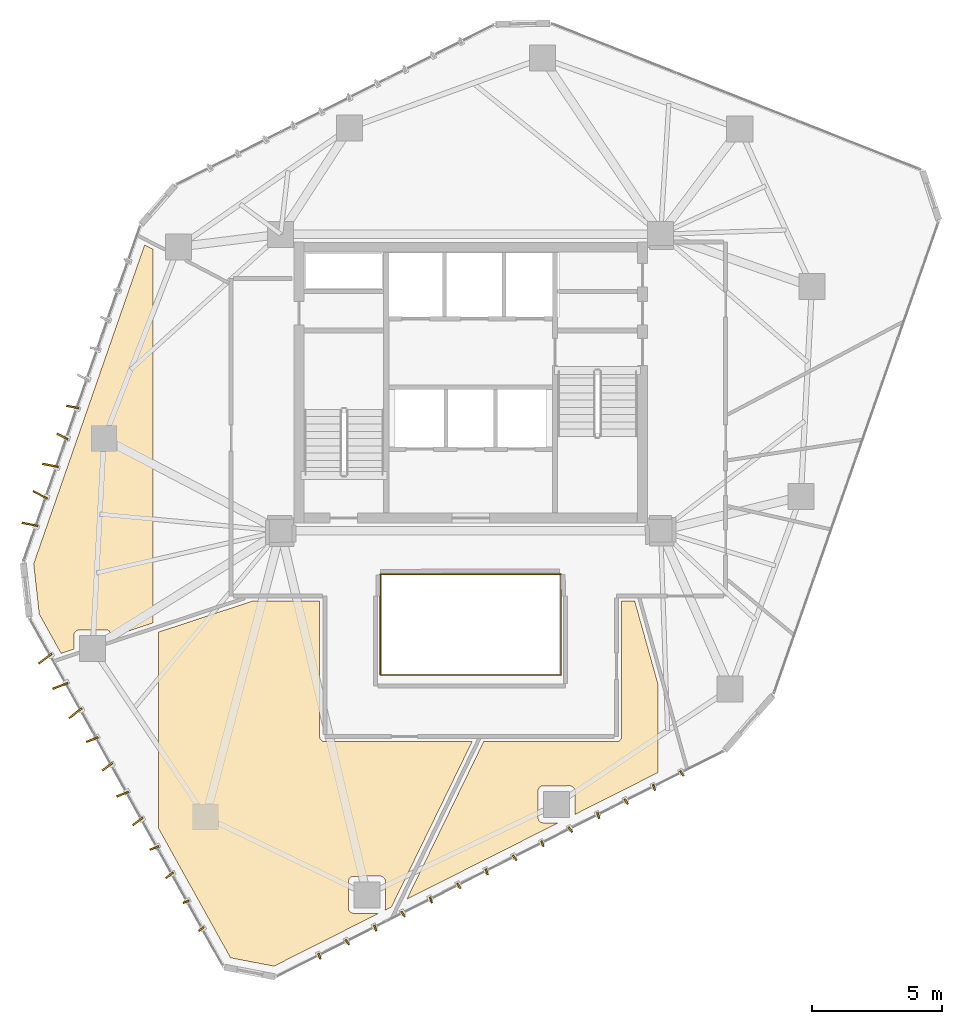
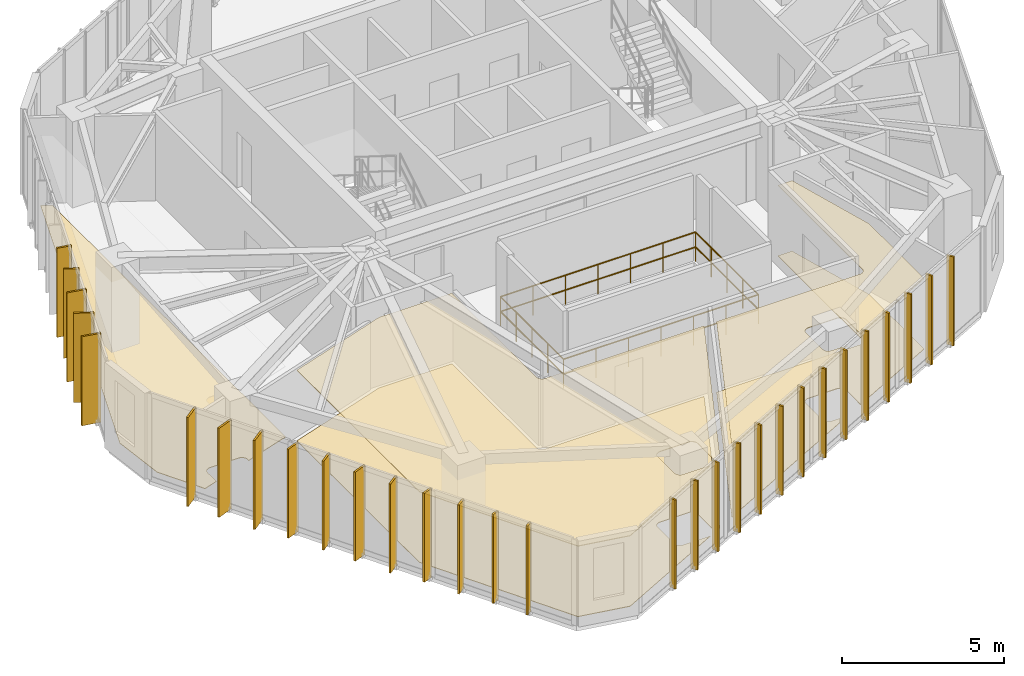
# One storey, part 19 of 20: 30 shading devices, 5 coverings, 4 railings.
"""IFC4 building model written with IfcOpenShell, lengths in metres."""

from ifc_helpers import new_model, si_unit, direction, frame, origin, origin_2d, place, context, subcontext, project, spatial, polyline, rectangle, circle, outline, extrude, source, transform, mapped, material, layer, layer_set, type_object, type_shapes, element, save


model = new_model("IFC4")

# Units and contexts
model_context = context("Model", 3, precision=1e-05, world=origin(), true_north=direction((0.0, 1.0)))
body_context = subcontext(model_context, "Body", "Model", "MODEL_VIEW")
ifc_project = project(units=[si_unit("LENGTHUNIT", "METRE"), si_unit("AREAUNIT", "SQUARE_METRE"), si_unit("VOLUMEUNIT", "CUBIC_METRE"), si_unit("PLANEANGLEUNIT", "RADIAN"), si_unit("MASSUNIT", "GRAM", prefix="KILO")], contexts=[model_context])

# Site, building, storey
site_placement = place(None, origin())
site = spatial("IfcSite", under=ifc_project, at=site_placement, CompositionType="ELEMENT")
building_placement = place(site_placement, origin())
building = spatial("IfcBuilding", under=site, at=building_placement, Name="Talar Marvaseh", CompositionType="ELEMENT")
storey_placement = place(building_placement, frame((0.0, 0.0, 170.5)))
storey = spatial("IfcBuildingStorey", under=building, at=storey_placement, Name="L44", CompositionType="ELEMENT", Elevation=170.5)

# Railings
ifc_material_1 = material(Name="Tempered Clear Glass", Category="glass")
railing_type = type_object("IfcRailingType", Name="Interior Atrium Edge Balustrade 1120", PredefinedType="BALUSTRADE", material=ifc_material_1)
railing_1_placement = place(storey_placement, frame((22.5302734375, 19.9609375, 0.0)))
element("IfcRailing", 1, at=railing_1_placement, inside=storey, type_object=railing_type, Name="L44 Internal Daylight Atrium Balustrade 1", PredefinedType="BALUSTRADE", context=body_context, shape_type="SweptSolid", body=[
    extrude(circle(Radius=0.02392578125, at=origin_2d()), frame((0.0, 0.0, 1.09619140625), z_axis=(1.0, 0.0, 0.0), x_axis=(0.0, 1.0, 0.0)), (0.0, 0.0, 1.0), 6.939453125),
    extrude(circle(Radius=0.02392578125, at=origin_2d()), frame((0.0, 0.0, 0.5361328125), z_axis=(1.0, 0.0, 0.0), x_axis=(0.0, 1.0, 0.0)), (0.0, 0.0, 1.0), 6.939453125),
    extrude(circle(Radius=0.02099609375, at=origin_2d()), origin(), (0.0, 0.0, 1.0), 1.072021484375),
    extrude(circle(Radius=0.02099609375, at=origin_2d()), frame((1.156494140625, 0.0, 0.0)), (0.0, 0.0, 1.0), 1.072021484375),
    extrude(circle(Radius=0.02099609375, at=origin_2d()), frame((2.313232421875, 0.0, 0.0)), (0.0, 0.0, 1.0), 1.072021484375),
    extrude(circle(Radius=0.02099609375, at=origin_2d()), frame((3.4697265625, 0.0, 0.0)), (0.0, 0.0, 1.0), 1.072021484375),
    extrude(circle(Radius=0.02099609375, at=origin_2d()), frame((4.626220703125, 0.0, 0.0)), (0.0, 0.0, 1.0), 1.072021484375),
    extrude(circle(Radius=0.02099609375, at=origin_2d()), frame((5.782958984375, 0.0, 0.0)), (0.0, 0.0, 1.0), 1.072021484375),
    extrude(circle(Radius=0.02099609375, at=origin_2d()), frame((6.939453125, 0.0, 0.0)), (0.0, 0.0, 1.0), 1.072021484375),
])
railing_2_placement = place(storey_placement, frame((29.4697265625, 19.9609375, 0.0)))
element("IfcRailing", 2, at=railing_2_placement, inside=storey, type_object=railing_type, Name="L44 Internal Daylight Atrium Balustrade 2", PredefinedType="BALUSTRADE", context=body_context, shape_type="SweptSolid", body=[
    extrude(circle(Radius=0.02392578125, at=origin_2d()), frame((0.0, 0.0, 1.09619140625), z_axis=(0.0, 1.0, 0.0), x_axis=(-1.0, 0.0, 0.0)), (0.0, 0.0, 1.0), 3.878173828125),
    extrude(circle(Radius=0.02392578125, at=origin_2d()), frame((0.0, 0.0, 0.5361328125), z_axis=(0.0, 1.0, 0.0), x_axis=(-1.0, 0.0, 0.0)), (0.0, 0.0, 1.0), 3.878173828125),
    extrude(circle(Radius=0.02099609375, at=origin_2d()), origin(), (0.0, 0.0, 1.0), 1.072021484375),
    extrude(circle(Radius=0.02099609375, at=origin_2d()), frame((0.0, 0.969482421875, 0.0)), (0.0, 0.0, 1.0), 1.072021484375),
    extrude(circle(Radius=0.02099609375, at=origin_2d()), frame((0.0, 1.93896484375, 0.0)), (0.0, 0.0, 1.0), 1.072021484375),
    extrude(circle(Radius=0.02099609375, at=origin_2d()), frame((0.0, 2.90869140625, 0.0)), (0.0, 0.0, 1.0), 1.072021484375),
    extrude(circle(Radius=0.02099609375, at=origin_2d()), frame((0.0, 3.878173828125, 0.0)), (0.0, 0.0, 1.0), 1.072021484375),
])
railing_3_placement = place(storey_placement, frame((29.4697265625, 23.839111328125, 0.0)))
element("IfcRailing", 3, at=railing_3_placement, inside=storey, type_object=railing_type, Name="L44 Internal Daylight Atrium Balustrade 3", PredefinedType="BALUSTRADE", context=body_context, shape_type="SweptSolid", body=[
    extrude(circle(Radius=0.02392578125, at=origin_2d()), frame((0.0, 0.0, 1.09619140625), z_axis=(-1.0, 0.0, 0.0), x_axis=(0.0, -1.0, 0.0)), (0.0, 0.0, 1.0), 6.939453125),
    extrude(circle(Radius=0.02392578125, at=origin_2d()), frame((0.0, 0.0, 0.5361328125), z_axis=(-1.0, 0.0, 0.0), x_axis=(0.0, -1.0, 0.0)), (0.0, 0.0, 1.0), 6.939453125),
    extrude(circle(Radius=0.02099609375, at=origin_2d()), origin(), (0.0, 0.0, 1.0), 1.072021484375),
    extrude(circle(Radius=0.02099609375, at=origin_2d()), frame((-1.156494140625, 0.0, 0.0)), (0.0, 0.0, 1.0), 1.072021484375),
    extrude(circle(Radius=0.02099609375, at=origin_2d()), frame((-2.313232421875, 0.0, 0.0)), (0.0, 0.0, 1.0), 1.072021484375),
    extrude(circle(Radius=0.02099609375, at=origin_2d()), frame((-3.4697265625, 0.0, 0.0)), (0.0, 0.0, 1.0), 1.072021484375),
    extrude(circle(Radius=0.02099609375, at=origin_2d()), frame((-4.626220703125, 0.0, 0.0)), (0.0, 0.0, 1.0), 1.072021484375),
    extrude(circle(Radius=0.02099609375, at=origin_2d()), frame((-5.782958984375, 0.0, 0.0)), (0.0, 0.0, 1.0), 1.072021484375),
    extrude(circle(Radius=0.02099609375, at=origin_2d()), frame((-6.939453125, 0.0, 0.0)), (0.0, 0.0, 1.0), 1.072021484375),
])
railing_4_placement = place(storey_placement, frame((22.5302734375, 23.839111328125, 0.0)))
element("IfcRailing", 4, at=railing_4_placement, inside=storey, type_object=railing_type, Name="L44 Internal Daylight Atrium Balustrade 4", PredefinedType="BALUSTRADE", context=body_context, shape_type="SweptSolid", body=[
    extrude(circle(Radius=0.02392578125, at=origin_2d()), frame((0.0, 0.0, 1.09619140625), z_axis=(0.0, -1.0, 0.0), x_axis=(1.0, 0.0, 0.0)), (0.0, 0.0, 1.0), 3.878173828125),
    extrude(circle(Radius=0.02392578125, at=origin_2d()), frame((0.0, 0.0, 0.5361328125), z_axis=(0.0, -1.0, 0.0), x_axis=(1.0, 0.0, 0.0)), (0.0, 0.0, 1.0), 3.878173828125),
    extrude(circle(Radius=0.02099609375, at=origin_2d()), origin(), (0.0, 0.0, 1.0), 1.072021484375),
    extrude(circle(Radius=0.02099609375, at=origin_2d()), frame((0.0, -0.969482421875, 0.0)), (0.0, 0.0, 1.0), 1.072021484375),
    extrude(circle(Radius=0.02099609375, at=origin_2d()), frame((0.0, -1.93896484375, 0.0)), (0.0, 0.0, 1.0), 1.072021484375),
    extrude(circle(Radius=0.02099609375, at=origin_2d()), frame((0.0, -2.90869140625, 0.0)), (0.0, 0.0, 1.0), 1.072021484375),
    extrude(circle(Radius=0.02099609375, at=origin_2d()), frame((0.0, -3.878173828125, 0.0)), (0.0, 0.0, 1.0), 1.072021484375),
])

# Coverings
ifc_material_2 = material(Name="Mineral Fibre Acoustic Ceiling")
ifc_layer_1 = layer(ifc_material_2, 0.02490234375)
ifc_layer_set_1 = layer_set([ifc_layer_1], Name="Mineral Fibre Acoustic Ceiling")
covering_type_1 = type_object("IfcCoveringType", Name="Perforated Mineral Fibre Acoustic Suspended Ceiling", PredefinedType="CEILING", material=ifc_layer_set_1)
covering_1_placement = place(storey_placement, frame((0.0, 0.0, 2.64990234375)))
element("IfcCovering", 5, at=covering_1_placement, inside=storey, type_object=covering_type_1, Name="L44 Seminar Room Acoustic Ceiling", PredefinedType="CEILING", context=body_context, shape_type="SweptSolid", body=[
    extrude(outline(polyline([(14.0, 21.610107421875), (17.603759765625, 22.800048828125), (20.199951171875, 22.800048828125), (20.199951171875, 17.60009765625), (20.200927734375, 17.580322265625), (20.203857421875, 17.56103515625), (20.20849609375, 17.5419921875), (20.215087890625, 17.5234375), (20.2236328125, 17.505615234375), (20.233642578125, 17.489013671875), (20.245361328125, 17.47314453125), (20.258544921875, 17.45849609375), (20.273193359375, 17.4453125), (20.288818359375, 17.43359375), (20.3056640625, 17.423583984375), (20.323486328125, 17.415283203125), (20.341796875, 17.40869140625), (20.361083984375, 17.40380859375), (20.38037109375, 17.40087890625), (20.39990234375, 17.39990234375), (26.0537109375, 17.39990234375), (22.958984375, 11.05224609375), (22.707275390625, 10.92529296875), (22.710205078125, 10.931396484375), (22.716796875, 10.94970703125), (22.7216796875, 10.96875), (22.724609375, 10.988037109375), (22.7255859375, 11.007568359375), (22.72998046875, 12.019775390625), (22.72900390625, 12.038330078125), (22.7265625, 12.056640625), (22.722412109375, 12.074951171875), (22.716552734375, 12.092529296875), (22.708984375, 12.109619140625), (22.699951171875, 12.1259765625), (22.689208984375, 12.141357421875), (22.677490234375, 12.155517578125), (22.664306640625, 12.168701171875), (22.6494140625, 12.18212890625), (22.635009765625, 12.194091796875), (22.61962890625, 12.204345703125), (22.603515625, 12.21337890625), (22.586669921875, 12.220703125), (22.569091796875, 12.2265625), (22.551025390625, 12.230712890625), (22.53271484375, 12.233154296875), (22.51416015625, 12.23388671875), (21.50341796875, 12.2294921875), (21.48388671875, 12.228515625), (21.464599609375, 12.2255859375), (21.44580078125, 12.220703125), (21.42724609375, 12.214111328125), (21.40966796875, 12.205810546875), (21.392822265625, 12.195556640625), (21.377197265625, 12.183837890625), (21.36279296875, 12.170654296875), (21.349609375, 12.15625), (21.337890625, 12.140380859375), (21.327880859375, 12.12353515625), (21.319580078125, 12.10595703125), (21.31298828125, 12.08740234375), (21.30810546875, 12.068603515625), (21.305419921875, 12.049072265625), (21.304443359375, 12.029541015625), (21.304443359375, 11.00830078125), (21.305419921875, 10.98876953125), (21.30810546875, 10.969482421875), (21.31298828125, 10.9501953125), (21.319580078125, 10.931884765625), (21.327880859375, 10.9140625), (21.338134765625, 10.897216796875), (21.349853515625, 10.881591796875), (21.363037109375, 10.866943359375), (21.37744140625, 10.853759765625), (21.393310546875, 10.842041015625), (21.41015625, 10.83203125), (21.427978515625, 10.823486328125), (21.4462890625, 10.81689453125), (21.46533203125, 10.812255859375), (21.48486328125, 10.809326171875), (21.50439453125, 10.808349609375), (22.475341796875, 10.808349609375), (18.44580078125, 8.776611328125), (16.77294921875, 9.096435546875), (14.0, 14.0791015625), (14.0, 21.610107421875)])), origin(), (0.0, 0.0, 1.0), 0.025146484375),
])
covering_2_placement = place(storey_placement, frame((0.0, 0.0, 2.64990234375)))
element("IfcCovering", 6, at=covering_2_placement, inside=storey, type_object=covering_type_1, Name="L44 Museum Publication Bookshop Acoustic Ceiling", PredefinedType="CEILING", context=body_context, shape_type="SweptSolid", body=[
    extrude(outline(polyline([(31.61962890625, 17.40087890625), (31.638916015625, 17.40380859375), (31.658203125, 17.40869140625), (31.676513671875, 17.415283203125), (31.6943359375, 17.423583984375), (31.711181640625, 17.43359375), (31.726806640625, 17.4453125), (31.741455078125, 17.45849609375), (31.754638671875, 17.47314453125), (31.766357421875, 17.489013671875), (31.7763671875, 17.505615234375), (31.784912109375, 17.5234375), (31.79150390625, 17.5419921875), (31.796142578125, 17.56103515625), (31.799072265625, 17.580322265625), (31.800048828125, 17.60009765625), (31.800048828125, 22.800048828125), (32.30615234375, 22.800048828125), (33.199951171875, 19.60205078125), (33.199951171875, 16.216064453125), (30.010009765625, 14.607666015625), (30.013916015625, 15.49462890625), (30.01318359375, 15.51318359375), (30.010498046875, 15.53173828125), (30.00634765625, 15.5498046875), (30.00048828125, 15.567626953125), (29.992919921875, 15.584716796875), (29.98388671875, 15.600830078125), (29.973388671875, 15.6162109375), (29.96142578125, 15.630615234375), (29.9482421875, 15.643798828125), (29.933349609375, 15.6572265625), (29.9189453125, 15.6689453125), (29.90380859375, 15.679443359375), (29.887451171875, 15.688232421875), (29.87060546875, 15.69580078125), (29.85302734375, 15.70166015625), (29.8349609375, 15.705810546875), (29.816650390625, 15.708251953125), (29.798095703125, 15.708984375), (28.78759765625, 15.70458984375), (28.76806640625, 15.70361328125), (28.74853515625, 15.70068359375), (28.729736328125, 15.69580078125), (28.711181640625, 15.689208984375), (28.693603515625, 15.6806640625), (28.6767578125, 15.670654296875), (28.6611328125, 15.658935546875), (28.646728515625, 15.645751953125), (28.633544921875, 15.631103515625), (28.621826171875, 15.615478515625), (28.61181640625, 15.5986328125), (28.603515625, 15.580810546875), (28.596923828125, 15.5625), (28.59228515625, 15.54345703125), (28.58935546875, 15.524169921875), (28.58837890625, 15.504638671875), (28.58837890625, 14.4833984375), (28.58935546875, 14.4638671875), (28.59228515625, 14.4443359375), (28.596923828125, 14.42529296875), (28.603515625, 14.406982421875), (28.612060546875, 14.38916015625), (28.6220703125, 14.372314453125), (28.6337890625, 14.3564453125), (28.64697265625, 14.342041015625), (28.66162109375, 14.328857421875), (28.67724609375, 14.317138671875), (28.694091796875, 14.306884765625), (28.7119140625, 14.298583984375), (28.730224609375, 14.2919921875), (28.74951171875, 14.287109375), (28.768798828125, 14.284423828125), (28.788330078125, 14.283447265625), (29.3671875, 14.283447265625), (23.549072265625, 11.349853515625), (26.49853515625, 17.39990234375), (31.60009765625, 17.39990234375), (31.61962890625, 17.40087890625)])), origin(), (0.0, 0.0, 1.0), 0.025146484375),
])
ifc_material_3 = material(Name="Porcelain Stoneware Tile", Category="masonry")
ifc_layer_2 = layer(ifc_material_3, 0.02001953125)
ifc_layer_set_2 = layer_set([ifc_layer_2], Name="Porcelain Stoneware Tile")
covering_type_2 = type_object("IfcCoveringType", Name="Polished Porcelain Stoneware Gallery Flooring", PredefinedType="FLOORING", material=ifc_layer_set_2)
covering_3_placement = place(storey_placement, origin())
element("IfcCovering", 7, at=covering_3_placement, inside=storey, type_object=covering_type_2, Name="L44 Seminar Room Flooring", PredefinedType="FLOORING", context=body_context, shape_type="SweptSolid", body=[
    extrude(outline(polyline([(14.0, 21.610107421875), (17.603759765625, 22.800048828125), (20.199951171875, 22.800048828125), (20.199951171875, 17.60009765625), (20.200927734375, 17.580322265625), (20.203857421875, 17.56103515625), (20.20849609375, 17.5419921875), (20.215087890625, 17.5234375), (20.2236328125, 17.505615234375), (20.233642578125, 17.489013671875), (20.245361328125, 17.47314453125), (20.258544921875, 17.45849609375), (20.273193359375, 17.4453125), (20.288818359375, 17.43359375), (20.3056640625, 17.423583984375), (20.323486328125, 17.415283203125), (20.341796875, 17.40869140625), (20.361083984375, 17.40380859375), (20.38037109375, 17.40087890625), (20.39990234375, 17.39990234375), (26.0537109375, 17.39990234375), (22.958984375, 11.05224609375), (22.707275390625, 10.92529296875), (22.710205078125, 10.931396484375), (22.716796875, 10.94970703125), (22.7216796875, 10.96875), (22.724609375, 10.988037109375), (22.7255859375, 11.007568359375), (22.72998046875, 12.019775390625), (22.72900390625, 12.038330078125), (22.7265625, 12.056640625), (22.722412109375, 12.074951171875), (22.716552734375, 12.092529296875), (22.708984375, 12.109619140625), (22.699951171875, 12.1259765625), (22.689208984375, 12.141357421875), (22.677490234375, 12.155517578125), (22.664306640625, 12.168701171875), (22.6494140625, 12.18212890625), (22.635009765625, 12.194091796875), (22.61962890625, 12.204345703125), (22.603515625, 12.21337890625), (22.586669921875, 12.220703125), (22.569091796875, 12.2265625), (22.551025390625, 12.230712890625), (22.53271484375, 12.233154296875), (22.51416015625, 12.23388671875), (21.50341796875, 12.2294921875), (21.48388671875, 12.228515625), (21.464599609375, 12.2255859375), (21.44580078125, 12.220703125), (21.42724609375, 12.214111328125), (21.40966796875, 12.205810546875), (21.392822265625, 12.195556640625), (21.377197265625, 12.183837890625), (21.36279296875, 12.170654296875), (21.349609375, 12.15625), (21.337890625, 12.140380859375), (21.327880859375, 12.12353515625), (21.319580078125, 12.10595703125), (21.31298828125, 12.08740234375), (21.30810546875, 12.068603515625), (21.305419921875, 12.049072265625), (21.304443359375, 12.029541015625), (21.304443359375, 11.00830078125), (21.305419921875, 10.98876953125), (21.30810546875, 10.969482421875), (21.31298828125, 10.9501953125), (21.319580078125, 10.931884765625), (21.327880859375, 10.9140625), (21.338134765625, 10.897216796875), (21.349853515625, 10.881591796875), (21.363037109375, 10.866943359375), (21.37744140625, 10.853759765625), (21.393310546875, 10.842041015625), (21.41015625, 10.83203125), (21.427978515625, 10.823486328125), (21.4462890625, 10.81689453125), (21.46533203125, 10.812255859375), (21.48486328125, 10.809326171875), (21.50439453125, 10.808349609375), (22.475341796875, 10.808349609375), (18.44580078125, 8.776611328125), (16.77294921875, 9.096435546875), (14.0, 14.0791015625), (14.0, 21.610107421875)])), origin(), (0.0, 0.0, 1.0), 0.02001953125),
])
covering_4_placement = place(storey_placement, origin())
element("IfcCovering", 8, at=covering_4_placement, inside=storey, type_object=covering_type_2, Name="L44 Museum Publication Bookshop Flooring", PredefinedType="FLOORING", context=body_context, shape_type="SweptSolid", body=[
    extrude(outline(polyline([(31.61962890625, 17.40087890625), (31.638916015625, 17.40380859375), (31.658203125, 17.40869140625), (31.676513671875, 17.415283203125), (31.6943359375, 17.423583984375), (31.711181640625, 17.43359375), (31.726806640625, 17.4453125), (31.741455078125, 17.45849609375), (31.754638671875, 17.47314453125), (31.766357421875, 17.489013671875), (31.7763671875, 17.505615234375), (31.784912109375, 17.5234375), (31.79150390625, 17.5419921875), (31.796142578125, 17.56103515625), (31.799072265625, 17.580322265625), (31.800048828125, 17.60009765625), (31.800048828125, 22.800048828125), (32.30615234375, 22.800048828125), (33.199951171875, 19.60205078125), (33.199951171875, 16.216064453125), (30.010009765625, 14.607666015625), (30.013916015625, 15.49462890625), (30.01318359375, 15.51318359375), (30.010498046875, 15.53173828125), (30.00634765625, 15.5498046875), (30.00048828125, 15.567626953125), (29.992919921875, 15.584716796875), (29.98388671875, 15.600830078125), (29.973388671875, 15.6162109375), (29.96142578125, 15.630615234375), (29.9482421875, 15.643798828125), (29.933349609375, 15.6572265625), (29.9189453125, 15.6689453125), (29.90380859375, 15.679443359375), (29.887451171875, 15.688232421875), (29.87060546875, 15.69580078125), (29.85302734375, 15.70166015625), (29.8349609375, 15.705810546875), (29.816650390625, 15.708251953125), (29.798095703125, 15.708984375), (28.78759765625, 15.70458984375), (28.76806640625, 15.70361328125), (28.74853515625, 15.70068359375), (28.729736328125, 15.69580078125), (28.711181640625, 15.689208984375), (28.693603515625, 15.6806640625), (28.6767578125, 15.670654296875), (28.6611328125, 15.658935546875), (28.646728515625, 15.645751953125), (28.633544921875, 15.631103515625), (28.621826171875, 15.615478515625), (28.61181640625, 15.5986328125), (28.603515625, 15.580810546875), (28.596923828125, 15.5625), (28.59228515625, 15.54345703125), (28.58935546875, 15.524169921875), (28.58837890625, 15.504638671875), (28.58837890625, 14.4833984375), (28.58935546875, 14.4638671875), (28.59228515625, 14.4443359375), (28.596923828125, 14.42529296875), (28.603515625, 14.406982421875), (28.612060546875, 14.38916015625), (28.6220703125, 14.372314453125), (28.6337890625, 14.3564453125), (28.64697265625, 14.342041015625), (28.66162109375, 14.328857421875), (28.67724609375, 14.317138671875), (28.694091796875, 14.306884765625), (28.7119140625, 14.298583984375), (28.730224609375, 14.2919921875), (28.74951171875, 14.287109375), (28.768798828125, 14.284423828125), (28.788330078125, 14.283447265625), (29.3671875, 14.283447265625), (23.549072265625, 11.349853515625), (26.49853515625, 17.39990234375), (31.60009765625, 17.39990234375), (31.61962890625, 17.40087890625)])), origin(), (0.0, 0.0, 1.0), 0.02001953125),
])
covering_5_placement = place(storey_placement, origin())
element("IfcCovering", 9, at=covering_5_placement, inside=storey, type_object=covering_type_2, Name="L44 Archival Facsimile Boutique Flooring", PredefinedType="FLOORING", context=body_context, shape_type="SweptSolid", body=[
    extrude(outline(polyline([(13.800048828125, 36.31884765625), (13.800048828125, 21.96533203125), (12.18701171875, 21.432861328125), (12.18701171875, 21.486083984375), (12.185791015625, 21.507080078125), (12.1826171875, 21.528076171875), (12.177001953125, 21.54833984375), (12.16943359375, 21.568115234375), (12.15966796875, 21.5869140625), (12.148193359375, 21.6044921875), (12.137451171875, 21.618896484375), (12.125732421875, 21.633544921875), (12.112548828125, 21.64697265625), (12.098388671875, 21.658935546875), (12.0830078125, 21.669677734375), (12.066650390625, 21.678955078125), (12.049560546875, 21.6865234375), (12.03173828125, 21.692626953125), (12.013671875, 21.697021484375), (11.9951171875, 21.699462890625), (11.976318359375, 21.700439453125), (10.967529296875, 21.700439453125), (10.948974609375, 21.699462890625), (10.930419921875, 21.697021484375), (10.912109375, 21.692626953125), (10.894287109375, 21.6865234375), (10.87744140625, 21.678955078125), (10.861083984375, 21.669677734375), (10.845703125, 21.658935546875), (10.831298828125, 21.64697265625), (10.818359375, 21.633544921875), (10.806396484375, 21.618896484375), (10.7958984375, 21.6044921875), (10.7841796875, 21.5869140625), (10.774658203125, 21.568115234375), (10.76708984375, 21.54833984375), (10.761474609375, 21.528076171875), (10.758056640625, 21.507080078125), (10.757080078125, 21.486083984375), (10.757080078125, 20.960693359375), (10.261474609375, 20.797119140625), (9.42431640625, 22.30126953125), (9.208740234375, 24.232421875), (13.472412109375, 36.489013671875), (13.800048828125, 36.31884765625)])), origin(), (0.0, 0.0, 1.0), 0.02001953125),
])

# Shading devices
ifc_material_4 = material(Name="Anodised Champagne Bronze Aluminium", Category="aluminium")
ifc_layer_3 = layer(ifc_material_4, 0.06494140625)
ifc_layer_set_3 = layer_set([ifc_layer_3], Name="Anodised Champagne Bronze Aluminium")
shading_device_type_1 = type_object("IfcShadingDeviceType", Name="Sawtooth Champagne Bronze Vertical Fin 240", PredefinedType="USERDEFINED", material=ifc_layer_set_3)
shared_shape_1 = source(origin(), body_context, "Body", "SweptSolid", [
    extrude(rectangle(XDim=0.239990234375, YDim=0.06494140625, at=origin_2d()), origin(), (0.0, 0.0, 1.0), 3.35009765625),
])
type_shapes(shading_device_type_1, [shared_shape_1])
for number, where, z_axis, x_axis, name in (
    (10, (15.6494140625, 10.2001953125, -0.1201171875), (0.0, 0.0, 1.0), (-0.797583928825, -0.603207987745, 0.0), "L44 Sawtooth Vertical Solar Fin"),
    (11, (15.06591796875, 11.24853515625, -0.1201171875), (0.0, 0.0, 1.0), (-0.932953534825, -0.35999680812, 0.0), "L44 Sawtooth Vertical Solar Fin"),
    (12, (34.118896484375, 16.18115234375, -0.1201171875), (0.0, 0.0, 1.0), (0.570140158358, -0.821547442226, 0.0), "L44 Sawtooth Vertical Solar Fin"),
    (13, (33.047607421875, 15.640869140625, -0.1201171875), (0.0, 0.0, 1.0), (0.321604730892, -0.946874013303, 0.0), "L44 Sawtooth Vertical Solar Fin"),
    (14, (31.97607421875, 15.1005859375, -0.1201171875), (0.0, 0.0, 1.0), (0.570140158358, -0.821547442226, 0.0), "L44 Sawtooth Vertical Solar Fin"),
    (15, (30.904541015625, 14.560302734375, -0.1201171875), (0.0, 0.0, 1.0), (0.321604730892, -0.946874013303, 0.0), "L44 Sawtooth Vertical Solar Fin"),
    (16, (29.8330078125, 14.02001953125, -0.1201171875), (0.0, 0.0, 1.0), (0.570140158358, -0.821547442226, 0.0), "L44 Sawtooth Vertical Solar Fin"),
    (17, (28.761474609375, 13.479736328125, -0.1201171875), (0.0, 0.0, 1.0), (0.321604730892, -0.946874013303, 0.0), "L44 Sawtooth Vertical Solar Fin"),
    (18, (27.68994140625, 12.939453125, -0.1201171875), (0.0, 0.0, 1.0), (0.570140158358, -0.821547442226, 0.0), "L44 Sawtooth Vertical Solar Fin"),
    (19, (26.618408203125, 12.399169921875, -0.1201171875), (0.0, 0.0, 1.0), (0.321604730892, -0.946874013303, 0.0), "L44 Sawtooth Vertical Solar Fin"),
    (20, (25.547119140625, 11.85888671875, -0.1201171875), (0.0, 0.0, 1.0), (0.570140158358, -0.821547442226, 0.0), "L44 Sawtooth Vertical Solar Fin"),
    (21, (24.4755859375, 11.318603515625, -0.1201171875), (0.0, 0.0, 1.0), (0.321604730892, -0.946874013303, 0.0), "L44 Sawtooth Vertical Solar Fin"),
    (22, (23.404052734375, 10.7783203125, -0.1201171875), (0.0, 0.0, 1.0), (0.570140158358, -0.821547442226, 0.0), "L44 Sawtooth Vertical Solar Fin"),
    (23, (22.33251953125, 10.238037109375, -0.1201171875), (0.0, 0.0, 1.0), (0.321604730892, -0.946874013303, 0.0), "L44 Sawtooth Vertical Solar Fin"),
    (24, (21.260986328125, 9.69775390625, -0.1201171875), (0.0, 0.0, 1.0), (0.570140158358, -0.821547442226, 0.0), "L44 Sawtooth Vertical Solar Fin"),
    (25, (20.189697265625, 9.157470703125, -0.1201171875), (0.0, 0.0, 1.0), (0.321604730892, -0.946874013303, 0.0), "L44 Sawtooth Vertical Solar Fin"),
):
    element("IfcShadingDevice", number, at=place(storey_placement, frame(where, z_axis=z_axis, x_axis=x_axis)), inside=storey, type_object=shading_device_type_1, Name=name, ObjectType="FIN", PredefinedType="USERDEFINED", context=body_context, shape_type="MappedRepresentation", body=[
        mapped(shared_shape_1, transform((0.0, 0.0, 0.0), x_axis=(1.0, 0.0, 0.0), y_axis=(0.0, 1.0, 0.0), z_axis=(0.0, 0.0, 1.0), scale=1.0)),
    ])
ifc_layer_4 = layer(ifc_material_4, 0.06494140625)
ifc_layer_set_4 = layer_set([ifc_layer_4], Name="Anodised Champagne Bronze Aluminium")
shading_device_type_2 = type_object("IfcShadingDeviceType", Name="Sawtooth Champagne Bronze Vertical Fin 360", PredefinedType="USERDEFINED", material=ifc_layer_set_4)
shared_shape_2 = source(origin(), body_context, "Body", "SweptSolid", [
    extrude(rectangle(XDim=0.360107421875, YDim=0.06494140625, at=origin_2d()), origin(), (0.0, 0.0, 1.0), 3.35009765625),
])
type_shapes(shading_device_type_2, [shared_shape_2])
for number, where, z_axis, x_axis, name in (
    (26, (14.429931640625, 12.26806640625, -0.1201171875), (0.0, 0.0, 1.0), (-0.797583928825, -0.603207987745, 0.0), "L44 Sawtooth Vertical Solar Fin"),
    (27, (13.846435546875, 13.316650390625, -0.1201171875), (0.0, 0.0, 1.0), (-0.932953534825, -0.35999680812, 0.0), "L44 Sawtooth Vertical Solar Fin"),
):
    element("IfcShadingDevice", number, at=place(storey_placement, frame(where, z_axis=z_axis, x_axis=x_axis)), inside=storey, type_object=shading_device_type_2, Name=name, ObjectType="FIN", PredefinedType="USERDEFINED", context=body_context, shape_type="MappedRepresentation", body=[
        mapped(shared_shape_2, transform((0.0, 0.0, 0.0), x_axis=(1.0, 0.0, 0.0), y_axis=(0.0, 1.0, 0.0), z_axis=(0.0, 0.0, 1.0), scale=1.0)),
    ])
ifc_layer_5 = layer(ifc_material_4, 0.06494140625)
ifc_layer_set_5 = layer_set([ifc_layer_5], Name="Anodised Champagne Bronze Aluminium")
shading_device_type_3 = type_object("IfcShadingDeviceType", Name="Sawtooth Champagne Bronze Vertical Fin 480", PredefinedType="USERDEFINED", material=ifc_layer_set_5)
shared_shape_3 = source(origin(), body_context, "Body", "SweptSolid", [
    extrude(rectangle(XDim=0.47998046875, YDim=0.06494140625, at=origin_2d()), origin(), (0.0, 0.0, 1.0), 3.35009765625),
])
type_shapes(shading_device_type_3, [shared_shape_3])
for number, where, z_axis, x_axis, name in (
    (28, (13.21044921875, 14.3359375, -0.1201171875), (0.0, 0.0, 1.0), (-0.797583928825, -0.603207987745, 0.0), "L44 Sawtooth Vertical Solar Fin"),
    (29, (12.626953125, 15.384521484375, -0.1201171875), (0.0, 0.0, 1.0), (-0.932953534825, -0.35999680812, 0.0), "L44 Sawtooth Vertical Solar Fin"),
    (30, (12.04345703125, 16.43310546875, -0.1201171875), (0.0, 0.0, 1.0), (-0.797583928825, -0.603207987745, 0.0), "L44 Sawtooth Vertical Solar Fin"),
    (31, (11.4599609375, 17.481689453125, -0.1201171875), (0.0, 0.0, 1.0), (-0.932953534825, -0.35999680812, 0.0), "L44 Sawtooth Vertical Solar Fin"),
    (32, (10.314208984375, 29.1298828125, -0.1201171875), (0.0, 0.0, 1.0), (-0.889575876378, 0.456787434334, 0.0), "L44 Sawtooth Vertical Solar Fin"),
    (33, (10.70849609375, 30.26318359375, -0.1201171875), (0.0, 0.0, 1.0), (-0.981022896164, 0.193891921448, 0.0), "L44 Sawtooth Vertical Solar Fin"),
):
    element("IfcShadingDevice", number, at=place(storey_placement, frame(where, z_axis=z_axis, x_axis=x_axis)), inside=storey, type_object=shading_device_type_3, Name=name, ObjectType="FIN", PredefinedType="USERDEFINED", context=body_context, shape_type="MappedRepresentation", body=[
        mapped(shared_shape_3, transform((0.0, 0.0, 0.0), x_axis=(1.0, 0.0, 0.0), y_axis=(0.0, 1.0, 0.0), z_axis=(0.0, 0.0, 1.0), scale=1.0)),
    ])
ifc_layer_6 = layer(ifc_material_4, 0.06494140625)
ifc_layer_set_6 = layer_set([ifc_layer_6], Name="Anodised Champagne Bronze Aluminium")
shading_device_type_4 = type_object("IfcShadingDeviceType", Name="Sawtooth Champagne Bronze Vertical Fin 620", PredefinedType="USERDEFINED", material=ifc_layer_set_6)
shared_shape_4 = source(origin(), body_context, "Body", "SweptSolid", [
    extrude(rectangle(XDim=0.6201171875, YDim=0.06494140625, at=origin_2d()), origin(), (0.0, 0.0, 1.0), 3.35009765625),
])
type_shapes(shading_device_type_4, [shared_shape_4])
for number, where, z_axis, x_axis, name in (
    (34, (10.815185546875, 18.49609375, -0.1201171875), (0.0, 0.0, 1.0), (-0.797583928825, -0.603207987745, 0.0), "L44 Sawtooth Vertical Solar Fin"),
    (35, (10.231689453125, 19.544921875, -0.1201171875), (0.0, 0.0, 1.0), (-0.932953534825, -0.35999680812, 0.0), "L44 Sawtooth Vertical Solar Fin"),
    (36, (9.648193359375, 20.59326171875, -0.1201171875), (0.0, 0.0, 1.0), (-0.797583928825, -0.603207987745, 0.0), "L44 Sawtooth Vertical Solar Fin"),
    (37, (9.065185546875, 25.752685546875, -0.1201171875), (0.0, 0.0, 1.0), (-0.981022896164, 0.193891921448, 0.0), "L44 Sawtooth Vertical Solar Fin"),
    (38, (9.45947265625, 26.885986328125, -0.1201171875), (0.0, 0.0, 1.0), (-0.889575876378, 0.456787434334, 0.0), "L44 Sawtooth Vertical Solar Fin"),
    (39, (9.853759765625, 28.019287109375, -0.1201171875), (0.0, 0.0, 1.0), (-0.981022896164, 0.193891921448, 0.0), "L44 Sawtooth Vertical Solar Fin"),
):
    element("IfcShadingDevice", number, at=place(storey_placement, frame(where, z_axis=z_axis, x_axis=x_axis)), inside=storey, type_object=shading_device_type_4, Name=name, ObjectType="FIN", PredefinedType="USERDEFINED", context=body_context, shape_type="MappedRepresentation", body=[
        mapped(shared_shape_4, transform((0.0, 0.0, 0.0), x_axis=(1.0, 0.0, 0.0), y_axis=(0.0, 1.0, 0.0), z_axis=(0.0, 0.0, 1.0), scale=1.0)),
    ])

save(model, "model.ifc")
